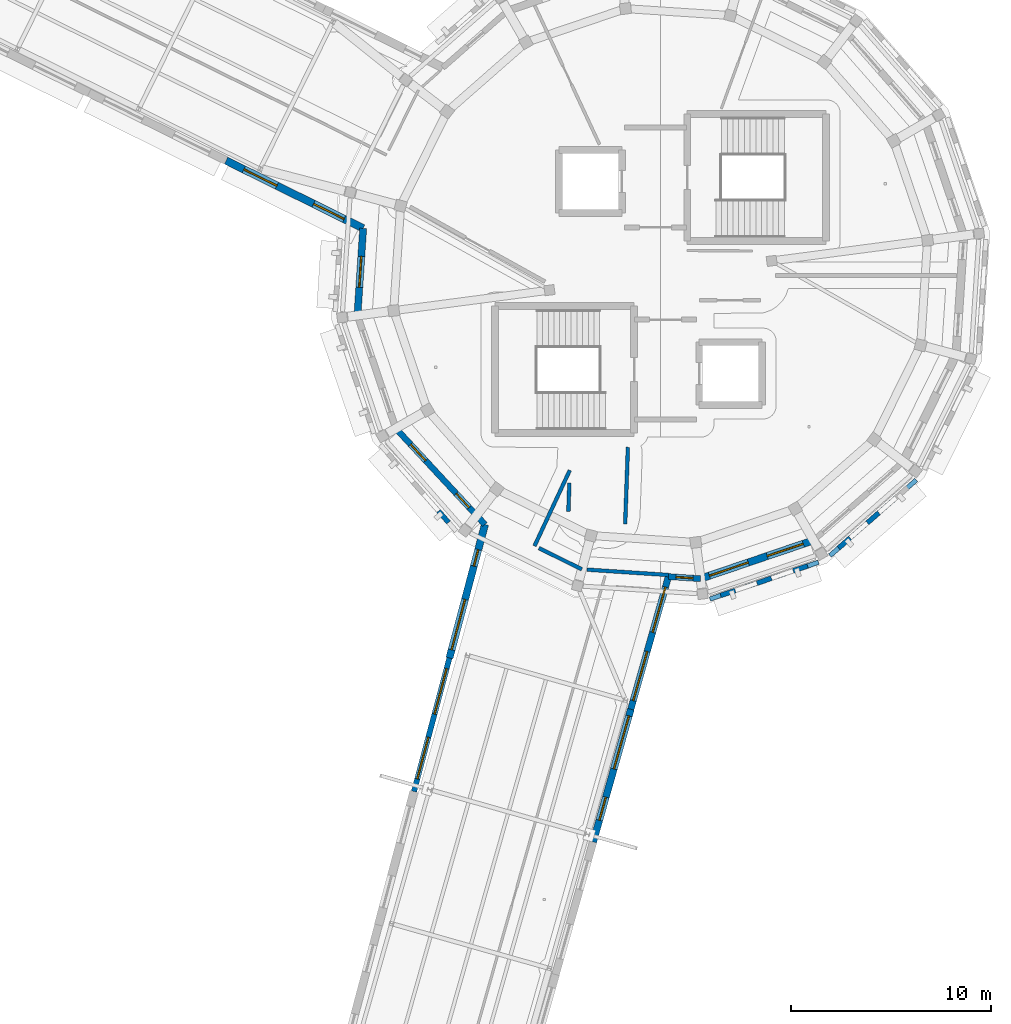
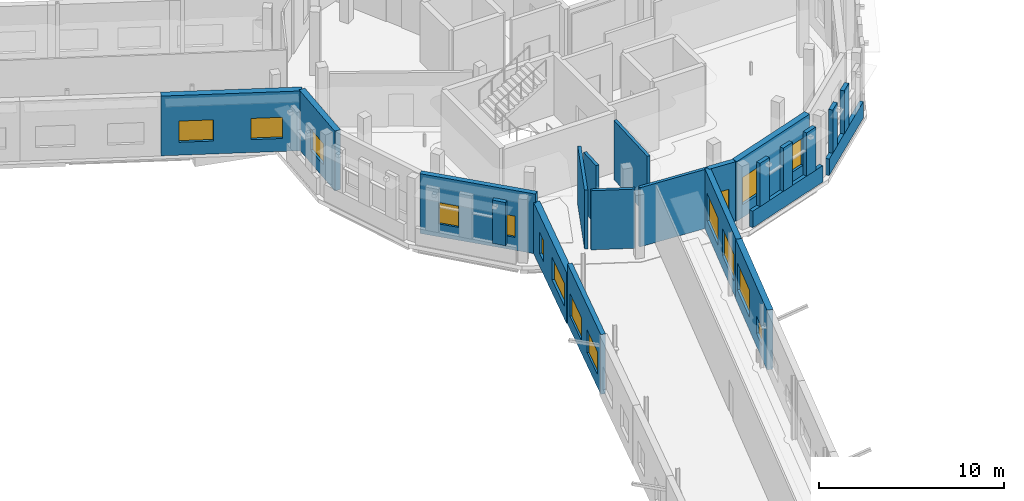
# One storey, part 68 of 90: 22 walls, 16 windows, 16 openings.
"""IFC4 building model written with IfcOpenShell, lengths in metres."""

from ifc_helpers import new_model, si_unit, direction, frame, frame_2d, origin, place, context, subcontext, project, spatial, rectangle, extrude, material, layer, layer_set, type_object, element, fill, save


model = new_model("IFC4")

# Units and contexts
model_context = context("Model", 3, precision=1e-05, world=origin(), true_north=direction((0.0, 1.0)))
body_context = subcontext(model_context, "Body", "Model", "MODEL_VIEW")
ifc_project = project(units=[si_unit("LENGTHUNIT", "METRE"), si_unit("AREAUNIT", "SQUARE_METRE"), si_unit("VOLUMEUNIT", "CUBIC_METRE"), si_unit("PLANEANGLEUNIT", "RADIAN"), si_unit("MASSUNIT", "GRAM", prefix="KILO")], contexts=[model_context])

# Site, building, storey
site_placement = place(None, origin())
site = spatial("IfcSite", under=ifc_project, at=site_placement, CompositionType="ELEMENT")
building_placement = place(site_placement, origin())
building = spatial("IfcBuilding", under=site, at=building_placement, Name="Wrenclough Park School", CompositionType="ELEMENT")
storey_placement = place(building_placement, frame((0.0, 0.0, 8.39990234375)))
storey = spatial("IfcBuildingStorey", under=building, at=storey_placement, Name="L02", CompositionType="ELEMENT", Elevation=8.39990234375)

# Walls
ifc_material_1 = material(Name="Perforated open-bond Staffordshire and Manchester brick screen pier", Category="masonry")
ifc_layer_1 = layer(ifc_material_1, 0.2451171875)
ifc_layer_set_1 = layer_set([ifc_layer_1], Name="Perforated open-bond Staffordshire and Manchester brick screen pier")
wall_type_1 = type_object("IfcWallType", Name="ENV-BS-PR245", PredefinedType="ELEMENTEDWALL", material=ifc_layer_set_1)
wall_1_placement = place(storey_placement, frame((163.403564453125, 81.7333984375, 1.090087890625), z_axis=(0.0, 0.0, 1.0), x_axis=(0.659345470196, -0.751840109951, 0.0)))
element("IfcWall", 1, at=wall_1_placement, inside=storey, type_object=wall_type_1, Name="D5 L02 perforated brick screen pier 0610", PredefinedType="ELEMENTEDWALL", context=body_context, shape_type="SweptSolid", body=[
    extrude(rectangle(XDim=0.76025390625, YDim=0.2451171875, at=frame_2d((0.380126953125, 0.0))), origin(), (0.0, 0.0, 1.0), 2.85009765625),
])
wall_2_placement = place(storey_placement, frame((177.50634765625, 77.51708984375, 1.090087890625), z_axis=(0.0, 0.0, 1.0), x_axis=(0.946966478525, 0.321332364617, 0.0)))
element("IfcWall", 2, at=wall_2_placement, inside=storey, type_object=wall_type_1, Name="D5 L02 perforated brick screen pier 0611", PredefinedType="ELEMENTEDWALL", context=body_context, shape_type="SweptSolid", body=[
    extrude(rectangle(XDim=0.759765625, YDim=0.2451171875, at=frame_2d((0.3798828125, 0.0))), origin(), (0.0, 0.0, 1.0), 2.85009765625),
])
wall_3_placement = place(storey_placement, frame((179.315673828125, 78.13134765625, 1.090087890625), z_axis=(0.0, 0.0, 1.0), x_axis=(0.946999642396, 0.32123461411, 0.0)))
element("IfcWall", 3, at=wall_3_placement, inside=storey, type_object=wall_type_1, Name="D5 L02 perforated brick screen pier 0612", PredefinedType="ELEMENTEDWALL", context=body_context, shape_type="SweptSolid", body=[
    extrude(rectangle(XDim=0.760009765625, YDim=0.2451171875, at=frame_2d((0.3798828125, 0.0))), origin(), (0.0, 0.0, 1.0), 2.85009765625),
])
wall_4_placement = place(storey_placement, frame((181.125, 78.74560546875, 1.090087890625), z_axis=(0.0, 0.0, 1.0), x_axis=(0.946966478525, 0.321332364617, 0.0)))
element("IfcWall", 4, at=wall_4_placement, inside=storey, type_object=wall_type_1, Name="D5 L02 perforated brick screen pier 0613", PredefinedType="ELEMENTEDWALL", context=body_context, shape_type="SweptSolid", body=[
    extrude(rectangle(XDim=0.759765625, YDim=0.2451171875, at=frame_2d((0.3798828125, 0.0))), origin(), (0.0, 0.0, 1.0), 2.85009765625),
])
wall_5_placement = place(storey_placement, frame((183.393798828125, 79.884033203125, 1.090087890625), z_axis=(0.0, 0.0, 1.0), x_axis=(0.751700438565, 0.659504701015, 0.0)))
element("IfcWall", 5, at=wall_5_placement, inside=storey, type_object=wall_type_1, Name="D5 L02 perforated brick screen pier 0614", PredefinedType="ELEMENTEDWALL", context=body_context, shape_type="SweptSolid", body=[
    extrude(rectangle(XDim=0.760009765625, YDim=0.2451171875, at=frame_2d((0.3798828125, 0.0))), origin(), (0.0, 0.0, 1.0), 2.85009765625),
])
wall_6_placement = place(storey_placement, frame((184.830078125, 81.143798828125, 1.090087890625), z_axis=(0.0, 0.0, 1.0), x_axis=(0.751840109951, 0.659345470196, 0.0)))
element("IfcWall", 6, at=wall_6_placement, inside=storey, type_object=wall_type_1, Name="D5 L02 perforated brick screen pier 0615", PredefinedType="ELEMENTEDWALL", context=body_context, shape_type="SweptSolid", body=[
    extrude(rectangle(XDim=0.76025390625, YDim=0.2451171875, at=frame_2d((0.380126953125, 0.0))), origin(), (0.0, 0.0, 1.0), 2.85009765625),
])
ifc_material_2 = material(Name="Open-bond Manchester multi-stock brick spandrel screen", Category="masonry")
ifc_layer_2 = layer(ifc_material_2, 0.22509765625)
ifc_layer_set_2 = layer_set([ifc_layer_2], Name="Open-bond Manchester multi-stock brick spandrel screen")
wall_type_2 = type_object("IfcWallType", Name="ENV-BS-SP225", PredefinedType="ELEMENTEDWALL", material=ifc_layer_set_2)
for number, where, z_axis, x_axis, name in (
    (7, (176.96142578125, 77.33203125, 0.0), (0.0, 0.0, 1.0), (0.946918286925, 0.321474350277, 0.0), "D5 L02 open-bond brick screen spandrel 0169"),
    (8, (182.961181640625, 79.504638671875, 0.0), (0.0, 0.0, 1.0), (0.751826896884, 0.659360536521, 0.0), "D5 L02 open-bond brick screen spandrel 0170"),
):
    element("IfcWall", number, at=place(storey_placement, frame(where, z_axis=z_axis, x_axis=x_axis)), inside=storey, type_object=wall_type_2, Name=name, PredefinedType="ELEMENTEDWALL", context=body_context, shape_type="SweptSolid", body=[
        extrude(rectangle(XDim=5.732177734375, YDim=0.22509765625, at=frame_2d((2.8662109375, 0.0))), origin(), (0.0, 0.0, 1.0), 1.090087890625),
    ])

# Wall, openings, windows
ifc_material_3 = material(Name="Link wing brick-faced cavity wall Concrete C32/40", Category="masonry")
ifc_layer_3 = layer(ifc_material_3, 0.27490234375)
ifc_layer_set_3 = layer_set([ifc_layer_3], Name="Link wing brick-faced cavity wall Concrete C32/40")
wall_type_3 = type_object("IfcWallType", Name="ENV-EW-275", PredefinedType="SOLIDWALL", material=ifc_layer_set_3)
wall_7_placement = place(storey_placement, frame((162.17724609375, 67.7216796875, 0.0), z_axis=(0.0, 0.0, 1.0), x_axis=(0.256891955278, 0.966440129192, 0.0)))
wall_7 = element("IfcWall", 9, at=wall_7_placement, inside=storey, type_object=wall_type_3, Name="L02 insulated brick external wall 0142", PredefinedType="SOLIDWALL", context=body_context, shape_type="SweptSolid", body=[
    extrude(rectangle(XDim=6.901611328125, YDim=0.27490234375, at=frame_2d((3.45068359375, 0.0))), origin(), (0.0, 0.0, 1.0), 3.940185546875),
])
opening_1_placement = place(wall_7_placement, frame((0.650390625, 0.0, 0.85009765625)))
opening_1 = element("IfcOpeningElement", 10, at=opening_1_placement, cuts=wall_7, Name="Opening WN-54", PredefinedType="OPENING", context=body_context, shape_type="SweptSolid", body=[
    extrude(rectangle(XDim=2.14990234375, YDim=1.5, at=frame_2d((1.074951171875, 0.75))), frame((0.0, 0.1474609375, 0.0), z_axis=(0.0, -1.0, 0.0), x_axis=(1.0, 0.0, 0.0)), (0.0, 0.0, 1.0), 0.294921875),
])
opening_2_placement = place(wall_7_placement, frame((4.001220703125, 0.0, 0.85009765625)))
opening_2 = element("IfcOpeningElement", 11, at=opening_2_placement, cuts=wall_7, Name="Opening WN-55", PredefinedType="OPENING", context=body_context, shape_type="SweptSolid", body=[
    extrude(rectangle(XDim=2.35009765625, YDim=1.5, at=frame_2d((1.175048828125, 0.75))), frame((0.0, 0.1474609375, 0.0), z_axis=(0.0, -1.0, 0.0), x_axis=(1.0, 0.0, 0.0)), (0.0, 0.0, 1.0), 0.294921875),
])
ifc_material_4 = material(Name="Thermally broken aluminium and double-glazed low-e glass", Category="aluminium")
window_type_1 = type_object("IfcWindowType", Name="ENV-WN-54", PartitioningType="DOUBLE_PANEL_VERTICAL", PredefinedType="WINDOW", material=ifc_material_4)
window_1_placement = place(opening_1_placement, origin())
window_1 = element("IfcWindow", 12, at=window_1_placement, inside=storey, type_object=window_type_1, Name="L02 scheduled facade window 0221", OverallHeight=1.5, OverallWidth=2.14990234375, PartitioningType="SINGLE_PANEL", PredefinedType="WINDOW", context=body_context, shape_type="SweptSolid", body=[
    extrude(rectangle(XDim=2.14990234375, YDim=1.5, at=frame_2d((1.074951171875, 0.75))), frame((0.0, 0.030029296875, 0.0), z_axis=(0.0, -1.0, 0.0), x_axis=(1.0, 0.0, 0.0)), (0.0, 0.0, 1.0), 0.06005859375),
])
fill(opening_1, window_1)
window_type_2 = type_object("IfcWindowType", Name="ENV-WN-55", PartitioningType="DOUBLE_PANEL_VERTICAL", PredefinedType="WINDOW", material=ifc_material_4)
window_2_placement = place(opening_2_placement, origin())
window_2 = element("IfcWindow", 13, at=window_2_placement, inside=storey, type_object=window_type_2, Name="L02 scheduled facade window 0222", OverallHeight=1.5, OverallWidth=2.35009765625, PartitioningType="SINGLE_PANEL", PredefinedType="WINDOW", context=body_context, shape_type="SweptSolid", body=[
    extrude(rectangle(XDim=2.35009765625, YDim=1.5, at=frame_2d((1.175048828125, 0.75))), frame((0.0, 0.030029296875, 0.0), z_axis=(0.0, -1.0, 0.0), x_axis=(1.0, 0.0, 0.0)), (0.0, 0.0, 1.0), 0.06005859375),
])
fill(opening_2, window_2)

ifc_material_5 = material(Name="Manchester multi-stock brick and Concrete C32/40 inner leaf", Category="masonry")
ifc_layer_4 = layer(ifc_material_5, 0.300048828125)
ifc_layer_set_4 = layer_set([ifc_layer_4], Name="Manchester multi-stock brick and Concrete C32/40 inner leaf")
wall_type_4 = type_object("IfcWallType", Name="ENV-EW-300", PredefinedType="SOLIDWALL", material=ifc_layer_set_4)
wall_8_placement = place(storey_placement, frame((165.72314453125, 81.061279296875, 0.0), z_axis=(0.0, 0.0, 1.0), x_axis=(-0.68021653034, 0.73301123583, 0.0)))
wall_8 = element("IfcWall", 14, at=wall_8_placement, inside=storey, type_object=wall_type_4, Name="L02 insulated brick external wall 0144", PredefinedType="SOLIDWALL", context=body_context, shape_type="SweptSolid", body=[
    extrude(rectangle(XDim=6.548095703125, YDim=0.300048828125, at=frame_2d((3.27392578125, 0.0))), origin(), (0.0, 0.0, 1.0), 3.940185546875),
])
opening_3_placement = place(wall_8_placement, frame((1.162109375, 0.0, 0.85009765625)))
opening_3 = element("IfcOpeningElement", 15, at=opening_3_placement, cuts=wall_8, Name="Opening WN-02", PredefinedType="OPENING", context=body_context, shape_type="SweptSolid", body=[
    extrude(rectangle(XDim=0.949951171875, YDim=1.39990234375, at=frame_2d((0.47509765625, 0.699951171875))), frame((0.0, 0.159912109375, 0.0), z_axis=(0.0, -1.0, 0.0), x_axis=(1.0, 0.0, 0.0)), (0.0, 0.0, 1.0), 0.320068359375),
])
opening_4_placement = place(wall_8_placement, frame((4.36083984375, 0.0, 0.85009765625)))
opening_4 = element("IfcOpeningElement", 16, at=opening_4_placement, cuts=wall_8, Name="Opening WN-03", PredefinedType="OPENING", context=body_context, shape_type="SweptSolid", body=[
    extrude(rectangle(XDim=1.10009765625, YDim=1.39990234375, at=frame_2d((0.550048828125, 0.699951171875))), frame((0.0, 0.159912109375, 0.0), z_axis=(0.0, -1.0, 0.0), x_axis=(1.0, 0.0, 0.0)), (0.0, 0.0, 1.0), 0.320068359375),
])
window_type_3 = type_object("IfcWindowType", Name="ENV-WN-02", PartitioningType="SINGLE_PANEL", PredefinedType="WINDOW", material=ifc_material_4)
window_3_placement = place(opening_3_placement, origin())
window_3 = element("IfcWindow", 17, at=window_3_placement, inside=storey, type_object=window_type_3, Name="L02 scheduled facade window 0225", OverallHeight=1.39990234375, OverallWidth=0.949951171875, PartitioningType="SINGLE_PANEL", PredefinedType="WINDOW", context=body_context, shape_type="SweptSolid", body=[
    extrude(rectangle(XDim=0.949951171875, YDim=1.39990234375, at=frame_2d((0.47509765625, 0.699951171875))), frame((0.0, 0.030029296875, 0.0), z_axis=(0.0, -1.0, 0.0), x_axis=(1.0, 0.0, 0.0)), (0.0, 0.0, 1.0), 0.06005859375),
])
fill(opening_3, window_3)
window_type_4 = type_object("IfcWindowType", Name="ENV-WN-03", PartitioningType="SINGLE_PANEL", PredefinedType="WINDOW", material=ifc_material_4)
window_4_placement = place(opening_4_placement, origin())
window_4 = element("IfcWindow", 18, at=window_4_placement, inside=storey, type_object=window_type_4, Name="L02 scheduled facade window 0226", OverallHeight=1.39990234375, OverallWidth=1.10009765625, PartitioningType="SINGLE_PANEL", PredefinedType="WINDOW", context=body_context, shape_type="SweptSolid", body=[
    extrude(rectangle(XDim=1.10009765625, YDim=1.39990234375, at=frame_2d((0.550048828125, 0.699951171875))), frame((0.0, 0.030029296875, 0.0), z_axis=(0.0, -1.0, 0.0), x_axis=(1.0, 0.0, 0.0)), (0.0, 0.0, 1.0), 0.06005859375),
])
fill(opening_4, window_4)

# Wall, opening, window
wall_9_placement = place(storey_placement, frame((176.494140625, 78.35302734375, 0.0), z_axis=(0.0, 0.0, 1.0), x_axis=(-0.997862476256, 0.06534889808, 0.0)))
wall_9 = element("IfcWall", 19, at=wall_9_placement, inside=storey, type_object=wall_type_4, Name="L02 insulated brick external wall 0192", PredefinedType="SOLIDWALL", context=body_context, shape_type="SweptSolid", body=[
    extrude(rectangle(XDim=1.6064453125, YDim=0.300048828125, at=frame_2d((0.80322265625, 0.0))), origin(), (0.0, 0.0, 1.0), 3.940185546875),
])
opening_5_placement = place(wall_9_placement, frame((0.378173828125, 0.0, 0.85009765625)))
opening_5 = element("IfcOpeningElement", 20, at=opening_5_placement, cuts=wall_9, Name="Opening WN-01", PredefinedType="OPENING", context=body_context, shape_type="SweptSolid", body=[
    extrude(rectangle(XDim=0.85009765625, YDim=1.39990234375, at=frame_2d((0.425048828125, 0.699951171875))), frame((0.0, 0.159912109375, 0.0), z_axis=(0.0, -1.0, 0.0), x_axis=(1.0, 0.0, 0.0)), (0.0, 0.0, 1.0), 0.320068359375),
])
window_type_5 = type_object("IfcWindowType", Name="ENV-WN-01", PartitioningType="SINGLE_PANEL", PredefinedType="WINDOW", material=ifc_material_4)
window_5_placement = place(opening_5_placement, origin())
window_5 = element("IfcWindow", 21, at=window_5_placement, inside=storey, type_object=window_type_5, Name="L02 scheduled facade window 0312", OverallHeight=1.39990234375, OverallWidth=0.85009765625, PartitioningType="SINGLE_PANEL", PredefinedType="WINDOW", context=body_context, shape_type="SweptSolid", body=[
    extrude(rectangle(XDim=0.85009765625, YDim=1.39990234375, at=frame_2d((0.425048828125, 0.699951171875))), frame((0.0, 0.030029296875, 0.0), z_axis=(0.0, -1.0, 0.0), x_axis=(1.0, 0.0, 0.0)), (0.0, 0.0, 1.0), 0.06005859375),
])
fill(opening_5, window_5)

# Wall, openings, windows
ifc_layer_5 = layer(ifc_material_5, 0.324951171875)
ifc_layer_set_5 = layer_set([ifc_layer_5], Name="Manchester multi-stock brick and Concrete C32/40 inner leaf")
wall_type_5 = type_object("IfcWallType", Name="ENV-EW-325", PredefinedType="SOLIDWALL", material=ifc_layer_set_5)
wall_10_placement = place(storey_placement, frame((174.89111328125, 78.4580078125, 0.0), z_axis=(0.0, 0.0, 1.0), x_axis=(-0.27282018356, -0.962065043249, 0.0)))
wall_10 = element("IfcWall", 22, at=wall_10_placement, inside=storey, type_object=wall_type_5, Name="L02 insulated brick external wall 0193", PredefinedType="SOLIDWALL", context=body_context, shape_type="SweptSolid", body=[
    extrude(rectangle(XDim=6.888671875, YDim=0.324951171875, at=frame_2d((3.4443359375, 0.0))), origin(), (0.0, 0.0, 1.0), 3.940185546875),
])
opening_6_placement = place(wall_10_placement, frame((0.547119140625, 0.0, 0.85009765625)))
opening_6 = element("IfcOpeningElement", 23, at=opening_6_placement, cuts=wall_10, Name="Opening WN-34", PredefinedType="OPENING", context=body_context, shape_type="SweptSolid", body=[
    extrude(rectangle(XDim=2.35009765625, YDim=1.800048828125, at=frame_2d((1.175048828125, 0.89990234375))), frame((0.0, 0.17236328125, 0.0), z_axis=(0.0, -1.0, 0.0), x_axis=(1.0, 0.0, 0.0)), (0.0, 0.0, 1.0), 0.344970703125),
])
opening_7_placement = place(wall_10_placement, frame((3.8916015625, 0.0, 0.85009765625)))
opening_7 = element("IfcOpeningElement", 24, at=opening_7_placement, cuts=wall_10, Name="Opening WN-35", PredefinedType="OPENING", context=body_context, shape_type="SweptSolid", body=[
    extrude(rectangle(XDim=2.550048828125, YDim=1.800048828125, at=frame_2d((1.27490234375, 0.89990234375))), frame((0.0, 0.17236328125, 0.0), z_axis=(0.0, -1.0, 0.0), x_axis=(1.0, 0.0, 0.0)), (0.0, 0.0, 1.0), 0.344970703125),
])
window_type_6 = type_object("IfcWindowType", Name="ENV-WN-34", PartitioningType="DOUBLE_PANEL_VERTICAL", PredefinedType="WINDOW", material=ifc_material_4)
window_6_placement = place(opening_6_placement, origin())
window_6 = element("IfcWindow", 25, at=window_6_placement, inside=storey, type_object=window_type_6, Name="L02 scheduled facade window 0313", OverallHeight=1.800048828125, OverallWidth=2.35009765625, PartitioningType="SINGLE_PANEL", PredefinedType="WINDOW", context=body_context, shape_type="SweptSolid", body=[
    extrude(rectangle(XDim=2.35009765625, YDim=1.800048828125, at=frame_2d((1.175048828125, 0.89990234375))), frame((0.0, 0.030029296875, 0.0), z_axis=(0.0, -1.0, 0.0), x_axis=(1.0, 0.0, 0.0)), (0.0, 0.0, 1.0), 0.06005859375),
])
fill(opening_6, window_6)
window_type_7 = type_object("IfcWindowType", Name="ENV-WN-35", PartitioningType="DOUBLE_PANEL_VERTICAL", PredefinedType="WINDOW", material=ifc_material_4)
window_7_placement = place(opening_7_placement, origin())
window_7 = element("IfcWindow", 26, at=window_7_placement, inside=storey, type_object=window_type_7, Name="L02 scheduled facade window 0314", OverallHeight=1.800048828125, OverallWidth=2.550048828125, PartitioningType="SINGLE_PANEL", PredefinedType="WINDOW", context=body_context, shape_type="SweptSolid", body=[
    extrude(rectangle(XDim=2.550048828125, YDim=1.800048828125, at=frame_2d((1.27490234375, 0.89990234375))), frame((0.0, 0.030029296875, 0.0), z_axis=(0.0, -1.0, 0.0), x_axis=(1.0, 0.0, 0.0)), (0.0, 0.0, 1.0), 0.06005859375),
])
fill(opening_7, window_7)

# Wall, opening, window
ifc_material_6 = material(Name="Staffordshire blue-grey brick and Concrete C35/45 inner leaf", Category="masonry")
ifc_layer_6 = layer(ifc_material_6, 0.35009765625)
ifc_layer_set_6 = layer_set([ifc_layer_6], Name="Staffordshire blue-grey brick and Concrete C35/45 inner leaf")
wall_type_6 = type_object("IfcWallType", Name="ENV-EW-350", PredefinedType="SOLIDWALL", material=ifc_layer_set_6)
wall_11_placement = place(storey_placement, frame((159.35302734375, 91.505859375, 0.0), z_axis=(0.0, 0.0, 1.0), x_axis=(0.065411302984, 0.997858387469, 0.0)))
wall_11 = element("IfcWall", 27, at=wall_11_placement, inside=storey, type_object=wall_type_6, Name="L02 insulated brick external wall 0146", PredefinedType="SOLIDWALL", context=body_context, shape_type="SweptSolid", body=[
    extrude(rectangle(XDim=4.359375, YDim=0.35009765625, at=frame_2d((2.1796875, 0.0))), origin(), (0.0, 0.0, 1.0), 3.940185546875),
])
opening_8_placement = place(wall_11_placement, frame((1.40478515625, 0.0, 0.85009765625)))
opening_8 = element("IfcOpeningElement", 28, at=opening_8_placement, cuts=wall_11, Name="Opening WN-06", PredefinedType="OPENING", context=body_context, shape_type="SweptSolid", body=[
    extrude(rectangle(XDim=1.550048828125, YDim=1.39990234375, at=frame_2d((0.77490234375, 0.699951171875))), frame((0.0, 0.18505859375, 0.0), z_axis=(0.0, -1.0, 0.0), x_axis=(1.0, 0.0, 0.0)), (0.0, 0.0, 1.0), 0.3701171875),
])
window_type_8 = type_object("IfcWindowType", Name="ENV-WN-06", PartitioningType="DOUBLE_PANEL_VERTICAL", PredefinedType="WINDOW", material=ifc_material_4)
window_8_placement = place(opening_8_placement, origin())
window_8 = element("IfcWindow", 29, at=window_8_placement, inside=storey, type_object=window_type_8, Name="L02 scheduled facade window 0229", OverallHeight=1.39990234375, OverallWidth=1.550048828125, PartitioningType="SINGLE_PANEL", PredefinedType="WINDOW", context=body_context, shape_type="SweptSolid", body=[
    extrude(rectangle(XDim=1.550048828125, YDim=1.39990234375, at=frame_2d((0.77490234375, 0.699951171875))), frame((0.0, 0.030029296875, 0.0), z_axis=(0.0, -1.0, 0.0), x_axis=(1.0, 0.0, 0.0)), (0.0, 0.0, 1.0), 0.06005859375),
])
fill(opening_8, window_8)

# Wall, openings, windows
wall_12_placement = place(storey_placement, frame((173.01171875, 71.83056640625, 0.0), z_axis=(0.0, 0.0, 1.0), x_axis=(-0.272843682921, -0.962058379045, 0.0)))
wall_12 = element("IfcWall", 30, at=wall_12_placement, inside=storey, type_object=wall_type_6, Name="L02 insulated brick external wall 0194", PredefinedType="SOLIDWALL", context=body_context, shape_type="SweptSolid", body=[
    extrude(rectangle(XDim=6.88916015625, YDim=0.35009765625, at=frame_2d((3.444580078125, 0.0))), origin(), (0.0, 0.0, 1.0), 3.940185546875),
])
opening_9_placement = place(wall_12_placement, frame((0.34716796875, 0.0, 0.85009765625)))
opening_9 = element("IfcOpeningElement", 31, at=opening_9_placement, cuts=wall_12, Name="Opening WN-36", PredefinedType="OPENING", context=body_context, shape_type="SweptSolid", body=[
    extrude(rectangle(XDim=2.75, YDim=1.800048828125, at=frame_2d((1.375, 0.89990234375))), frame((0.0, 0.18505859375, 0.0), z_axis=(0.0, -1.0, 0.0), x_axis=(1.0, 0.0, 0.0)), (0.0, 0.0, 1.0), 0.3701171875),
])
opening_10_placement = place(wall_12_placement, frame((4.566650390625, 0.0, 0.85009765625)))
opening_10 = element("IfcOpeningElement", 32, at=opening_10_placement, cuts=wall_12, Name="Opening WN-37", PredefinedType="OPENING", context=body_context, shape_type="SweptSolid", body=[
    extrude(rectangle(XDim=1.199951171875, YDim=1.14990234375, at=frame_2d((0.60009765625, 0.574951171875))), frame((0.0, 0.18505859375, 0.0), z_axis=(0.0, -1.0, 0.0), x_axis=(1.0, 0.0, 0.0)), (0.0, 0.0, 1.0), 0.3701171875),
])
window_type_9 = type_object("IfcWindowType", Name="ENV-WN-36", PartitioningType="DOUBLE_PANEL_VERTICAL", PredefinedType="WINDOW", material=ifc_material_4)
window_9_placement = place(opening_9_placement, origin())
window_9 = element("IfcWindow", 33, at=window_9_placement, inside=storey, type_object=window_type_9, Name="L02 scheduled facade window 0315", OverallHeight=1.800048828125, OverallWidth=2.75, PartitioningType="SINGLE_PANEL", PredefinedType="WINDOW", context=body_context, shape_type="SweptSolid", body=[
    extrude(rectangle(XDim=2.75, YDim=1.800048828125, at=frame_2d((1.375, 0.89990234375))), frame((0.0, 0.030029296875, 0.0), z_axis=(0.0, -1.0, 0.0), x_axis=(1.0, 0.0, 0.0)), (0.0, 0.0, 1.0), 0.06005859375),
])
fill(opening_9, window_9)
window_type_10 = type_object("IfcWindowType", Name="ENV-WN-37", PartitioningType="SINGLE_PANEL", PredefinedType="WINDOW", material=ifc_material_4)
window_10_placement = place(opening_10_placement, origin())
window_10 = element("IfcWindow", 34, at=window_10_placement, inside=storey, type_object=window_type_10, Name="L02 scheduled facade window 0316", OverallHeight=1.14990234375, OverallWidth=1.199951171875, PartitioningType="SINGLE_PANEL", PredefinedType="WINDOW", context=body_context, shape_type="SweptSolid", body=[
    extrude(rectangle(XDim=1.199951171875, YDim=1.14990234375, at=frame_2d((0.60009765625, 0.574951171875))), frame((0.0, 0.030029296875, 0.0), z_axis=(0.0, -1.0, 0.0), x_axis=(1.0, 0.0, 0.0)), (0.0, 0.0, 1.0), 0.06005859375),
])
fill(opening_10, window_10)

ifc_material_7 = material(Name="Faceted courtyard brick-cavity wall Concrete C35/45", Category="masonry")
ifc_layer_7 = layer(ifc_material_7, 0.364990234375)
ifc_layer_set_7 = layer_set([ifc_layer_7], Name="Faceted courtyard brick-cavity wall Concrete C35/45")
wall_type_7 = type_object("IfcWallType", Name="ENV-EW-365", PredefinedType="SOLIDWALL", material=ifc_layer_set_7)
wall_13_placement = place(storey_placement, frame((163.9501953125, 74.3916015625, 0.0), z_axis=(0.0, 0.0, 1.0), x_axis=(0.256900738099, 0.966437794565, 0.0)))
wall_13 = element("IfcWall", 35, at=wall_13_placement, inside=storey, type_object=wall_type_7, Name="L02 insulated brick external wall 0143", PredefinedType="SOLIDWALL", context=body_context, shape_type="SweptSolid", body=[
    extrude(rectangle(XDim=6.9013671875, YDim=0.364990234375, at=frame_2d((3.45068359375, 0.0))), origin(), (0.0, 0.0, 1.0), 3.368896484375),
])
opening_11_placement = place(wall_13_placement, frame((0.42529296875, 0.0, 0.85009765625)))
opening_11 = element("IfcOpeningElement", 36, at=opening_11_placement, cuts=wall_13, Name="Opening WN-56", PredefinedType="OPENING", context=body_context, shape_type="SweptSolid", body=[
    extrude(rectangle(XDim=2.60009765625, YDim=1.5, at=frame_2d((1.300048828125, 0.75))), frame((0.0, 0.1923828125, 0.0), z_axis=(0.0, -1.0, 0.0), x_axis=(1.0, 0.0, 0.0)), (0.0, 0.0, 1.0), 0.385009765625),
])
opening_12_placement = place(wall_13_placement, frame((4.751220703125, 0.0, 0.85009765625)))
opening_12 = element("IfcOpeningElement", 37, at=opening_12_placement, cuts=wall_13, Name="Opening WN-01", PredefinedType="OPENING", context=body_context, shape_type="SweptSolid", body=[
    extrude(rectangle(XDim=0.85009765625, YDim=1.39990234375, at=frame_2d((0.425048828125, 0.699951171875))), frame((0.0, 0.1923828125, 0.0), z_axis=(0.0, -1.0, 0.0), x_axis=(1.0, 0.0, 0.0)), (0.0, 0.0, 1.0), 0.385009765625),
])
window_11_placement = place(opening_12_placement, origin())
window_11 = element("IfcWindow", 38, at=window_11_placement, inside=storey, type_object=window_type_5, Name="L02 scheduled facade window 0224", OverallHeight=1.39990234375, OverallWidth=0.85009765625, PartitioningType="SINGLE_PANEL", PredefinedType="WINDOW", context=body_context, shape_type="SweptSolid", body=[
    extrude(rectangle(XDim=0.85009765625, YDim=1.39990234375, at=frame_2d((0.425048828125, 0.699951171875))), frame((0.0, 0.030029296875, 0.0), z_axis=(0.0, -1.0, 0.0), x_axis=(1.0, 0.0, 0.0)), (0.0, 0.0, 1.0), 0.06005859375),
])
fill(opening_12, window_11)
window_type_11 = type_object("IfcWindowType", Name="ENV-WN-56", PartitioningType="DOUBLE_PANEL_VERTICAL", PredefinedType="WINDOW", material=ifc_material_4)
window_12_placement = place(opening_11_placement, origin())
window_12 = element("IfcWindow", 39, at=window_12_placement, inside=storey, type_object=window_type_11, Name="L02 scheduled facade window 0223", OverallHeight=1.5, OverallWidth=2.60009765625, PartitioningType="SINGLE_PANEL", PredefinedType="WINDOW", context=body_context, shape_type="SweptSolid", body=[
    extrude(rectangle(XDim=2.60009765625, YDim=1.5, at=frame_2d((1.300048828125, 0.75))), frame((0.0, 0.030029296875, 0.0), z_axis=(0.0, -1.0, 0.0), x_axis=(1.0, 0.0, 0.0)), (0.0, 0.0, 1.0), 0.06005859375),
])
fill(opening_11, window_12)

wall_14_placement = place(storey_placement, frame((182.138916015625, 80.26904296875, 0.0), z_axis=(0.0, 0.0, 1.0), x_axis=(-0.94693663561, -0.321420298269, 0.0)))
wall_14 = element("IfcWall", 40, at=wall_14_placement, inside=storey, type_object=wall_type_7, Name="L02 insulated brick external wall 0191", PredefinedType="SOLIDWALL", context=body_context, shape_type="SweptSolid", body=[
    extrude(rectangle(XDim=5.961181640625, YDim=0.364990234375, at=frame_2d((2.98046875, 0.0))), origin(), (0.0, 0.0, 1.0), 3.940185546875),
])
opening_13_placement = place(wall_14_placement, frame((0.540283203125, 0.0, 0.85009765625)))
opening_13 = element("IfcOpeningElement", 41, at=opening_13_placement, cuts=wall_14, Name="Opening WN-31", PredefinedType="OPENING", context=body_context, shape_type="SweptSolid", body=[
    extrude(rectangle(XDim=1.89990234375, YDim=1.800048828125, at=frame_2d((0.949951171875, 0.89990234375))), frame((0.0, 0.1923828125, 0.0), z_axis=(0.0, -1.0, 0.0), x_axis=(1.0, 0.0, 0.0)), (0.0, 0.0, 1.0), 0.385009765625),
])
opening_14_placement = place(wall_14_placement, frame((3.44580078125, 0.0, 0.85009765625)))
opening_14 = element("IfcOpeningElement", 42, at=opening_14_placement, cuts=wall_14, Name="Opening WN-32", PredefinedType="OPENING", context=body_context, shape_type="SweptSolid", body=[
    extrude(rectangle(XDim=2.050048828125, YDim=1.800048828125, at=frame_2d((1.02490234375, 0.89990234375))), frame((0.0, 0.1923828125, 0.0), z_axis=(0.0, -1.0, 0.0), x_axis=(1.0, 0.0, 0.0)), (0.0, 0.0, 1.0), 0.385009765625),
])
window_type_12 = type_object("IfcWindowType", Name="ENV-WN-31", PartitioningType="DOUBLE_PANEL_VERTICAL", PredefinedType="WINDOW", material=ifc_material_4)
window_13_placement = place(opening_13_placement, origin())
window_13 = element("IfcWindow", 43, at=window_13_placement, inside=storey, type_object=window_type_12, Name="L02 scheduled facade window 0310", OverallHeight=1.800048828125, OverallWidth=1.89990234375, PartitioningType="SINGLE_PANEL", PredefinedType="WINDOW", context=body_context, shape_type="SweptSolid", body=[
    extrude(rectangle(XDim=1.89990234375, YDim=1.800048828125, at=frame_2d((0.949951171875, 0.89990234375))), frame((0.0, 0.030029296875, 0.0), z_axis=(0.0, -1.0, 0.0), x_axis=(1.0, 0.0, 0.0)), (0.0, 0.0, 1.0), 0.06005859375),
])
fill(opening_13, window_13)
window_type_13 = type_object("IfcWindowType", Name="ENV-WN-32", PartitioningType="DOUBLE_PANEL_VERTICAL", PredefinedType="WINDOW", material=ifc_material_4)
window_14_placement = place(opening_14_placement, origin())
window_14 = element("IfcWindow", 44, at=window_14_placement, inside=storey, type_object=window_type_13, Name="L02 scheduled facade window 0311", OverallHeight=1.800048828125, OverallWidth=2.050048828125, PartitioningType="SINGLE_PANEL", PredefinedType="WINDOW", context=body_context, shape_type="SweptSolid", body=[
    extrude(rectangle(XDim=2.050048828125, YDim=1.800048828125, at=frame_2d((1.02490234375, 0.89990234375))), frame((0.0, 0.030029296875, 0.0), z_axis=(0.0, -1.0, 0.0), x_axis=(1.0, 0.0, 0.0)), (0.0, 0.0, 1.0), 0.06005859375),
])
fill(opening_14, window_14)

ifc_material_8 = material(Name="Manchester multi-stock brick and Concrete C35/45 inner leaf", Category="masonry")
ifc_layer_8 = layer(ifc_material_8, 0.3798828125)
ifc_layer_set_8 = layer_set([ifc_layer_8], Name="Manchester multi-stock brick and Concrete C35/45 inner leaf")
wall_type_8 = type_object("IfcWallType", Name="ENV-EW-380", PredefinedType="SOLIDWALL", material=ifc_layer_set_8)
wall_15_placement = place(storey_placement, frame((159.63818359375, 95.85595703125, 0.0), z_axis=(0.0, 0.0, 1.0), x_axis=(-0.896266612371, 0.443515681289, 0.0)))
wall_15 = element("IfcWall", 45, at=wall_15_placement, inside=storey, type_object=wall_type_8, Name="L02 insulated brick external wall 0147", PredefinedType="SOLIDWALL", context=body_context, shape_type="SweptSolid", body=[
    extrude(rectangle(XDim=7.639892578125, YDim=0.3798828125, at=frame_2d((3.81982421875, 0.0))), origin(), (0.0, 0.0, 1.0), 3.940185546875),
])
opening_15_placement = place(wall_15_placement, frame((1.06005859375, 0.0, 0.85009765625)))
opening_15 = element("IfcOpeningElement", 46, at=opening_15_placement, cuts=wall_15, Name="Opening WN-07", PredefinedType="OPENING", context=body_context, shape_type="SweptSolid", body=[
    extrude(rectangle(XDim=1.699951171875, YDim=1.39990234375, at=frame_2d((0.85009765625, 0.699951171875))), frame((0.0, 0.199951171875, 0.0), z_axis=(0.0, -1.0, 0.0), x_axis=(1.0, 0.0, 0.0)), (0.0, 0.0, 1.0), 0.39990234375),
])
opening_16_placement = place(wall_15_placement, frame((4.804931640625, 0.0, 0.85009765625)))
opening_16 = element("IfcOpeningElement", 47, at=opening_16_placement, cuts=wall_15, Name="Opening WN-08", PredefinedType="OPENING", context=body_context, shape_type="SweptSolid", body=[
    extrude(rectangle(XDim=1.85009765625, YDim=1.39990234375, at=frame_2d((0.925048828125, 0.699951171875))), frame((0.0, 0.199951171875, 0.0), z_axis=(0.0, -1.0, 0.0), x_axis=(1.0, 0.0, 0.0)), (0.0, 0.0, 1.0), 0.39990234375),
])
window_type_14 = type_object("IfcWindowType", Name="ENV-WN-07", PartitioningType="DOUBLE_PANEL_VERTICAL", PredefinedType="WINDOW", material=ifc_material_4)
window_15_placement = place(opening_15_placement, origin())
window_15 = element("IfcWindow", 48, at=window_15_placement, inside=storey, type_object=window_type_14, Name="L02 scheduled facade window 0230", OverallHeight=1.39990234375, OverallWidth=1.699951171875, PartitioningType="SINGLE_PANEL", PredefinedType="WINDOW", context=body_context, shape_type="SweptSolid", body=[
    extrude(rectangle(XDim=1.699951171875, YDim=1.39990234375, at=frame_2d((0.85009765625, 0.699951171875))), frame((0.0, 0.030029296875, 0.0), z_axis=(0.0, -1.0, 0.0), x_axis=(1.0, 0.0, 0.0)), (0.0, 0.0, 1.0), 0.06005859375),
])
fill(opening_15, window_15)
window_type_15 = type_object("IfcWindowType", Name="ENV-WN-08", PartitioningType="DOUBLE_PANEL_VERTICAL", PredefinedType="WINDOW", material=ifc_material_4)
window_16_placement = place(opening_16_placement, origin())
window_16 = element("IfcWindow", 49, at=window_16_placement, inside=storey, type_object=window_type_15, Name="L02 scheduled facade window 0231", OverallHeight=1.39990234375, OverallWidth=1.85009765625, PartitioningType="SINGLE_PANEL", PredefinedType="WINDOW", context=body_context, shape_type="SweptSolid", body=[
    extrude(rectangle(XDim=1.85009765625, YDim=1.39990234375, at=frame_2d((0.925048828125, 0.699951171875))), frame((0.0, 0.030029296875, 0.0), z_axis=(0.0, -1.0, 0.0), x_axis=(1.0, 0.0, 0.0)), (0.0, 0.0, 1.0), 0.06005859375),
])
fill(opening_16, window_16)

# Walls
ifc_material_9 = material(Name="Laboratory fire and acoustic partition", Category="gypsum")
ifc_layer_9 = layer(ifc_material_9, 0.18505859375)
ifc_layer_set_9 = layer_set([ifc_layer_9], Name="Laboratory fire and acoustic partition")
wall_type_9 = type_object("IfcWallType", Name="INT-PW-185", PredefinedType="PARTITIONING", material=ifc_layer_set_9)
wall_16_placement = place(storey_placement, frame((168.19970703125, 79.989013671875, 0.0), z_axis=(0.0, 0.0, 1.0), x_axis=(0.422629122355, 0.90630272257, 0.0)))
element("IfcWall", 50, at=wall_16_placement, inside=storey, type_object=wall_type_9, Name="L02 internal partition 0390", PredefinedType="PARTITIONING", context=body_context, shape_type="SweptSolid", body=[
    extrude(rectangle(XDim=4.17138671875, YDim=0.18505859375, at=frame_2d((2.085693359375, 0.0))), origin(), (0.0, 0.0, 1.0), 3.900146484375),
])
wall_17_placement = place(storey_placement, frame((172.865478515625, 84.920166015625, 0.0), z_axis=(0.0, 0.0, 1.0), x_axis=(-0.03562358123, -0.999365278795, 0.0)))
element("IfcWall", 51, at=wall_17_placement, inside=storey, type_object=wall_type_9, Name="L02 internal partition 0392", PredefinedType="PARTITIONING", context=body_context, shape_type="SweptSolid", body=[
    extrude(rectangle(XDim=3.8447265625, YDim=0.18505859375, at=frame_2d((1.92236328125, 0.0))), origin(), (0.0, 0.0, 1.0), 3.900146484375),
])
wall_18_placement = place(storey_placement, frame((169.8916015625, 81.704345703125, 0.0), z_axis=(0.0, 0.0, 1.0), x_axis=(0.034214806645, 0.999414502099, 0.0)))
element("IfcWall", 52, at=wall_18_placement, inside=storey, type_object=wall_type_9, Name="L02 internal partition 0393", PredefinedType="PARTITIONING", context=body_context, shape_type="SweptSolid", body=[
    extrude(rectangle(XDim=1.427001953125, YDim=0.18505859375, at=frame_2d((0.71337890625, 0.0))), origin(), (0.0, 0.0, 1.0), 3.900146484375),
])
wall_19_placement = place(storey_placement, frame((168.423828125, 79.878662109375, 0.0), z_axis=(0.0, 0.0, 1.0), x_axis=(0.896865873731, -0.442302616471, 0.0)))
element("IfcWall", 53, at=wall_19_placement, inside=storey, type_object=wall_type_9, Name="L02 internal partition 0394", PredefinedType="PARTITIONING", context=body_context, shape_type="SweptSolid", body=[
    extrude(rectangle(XDim=2.389404296875, YDim=0.18505859375, at=frame_2d((1.19482421875, 0.0))), origin(), (0.0, 0.0, 1.0), 3.900146484375),
])
wall_20_placement = place(storey_placement, frame((170.81640625, 78.805419921875, 0.0), z_axis=(0.0, 0.0, 1.0), x_axis=(0.997856182002, -0.065444938991, 0.0)))
element("IfcWall", 54, at=wall_20_placement, inside=storey, type_object=wall_type_9, Name="L02 internal partition 0395", PredefinedType="PARTITIONING", context=body_context, shape_type="SweptSolid", body=[
    extrude(rectangle(XDim=4.088623046875, YDim=0.18505859375, at=frame_2d((2.04443359375, 0.0))), origin(), (0.0, 0.0, 1.0), 3.900146484375),
])

save(model, "model.ifc")
